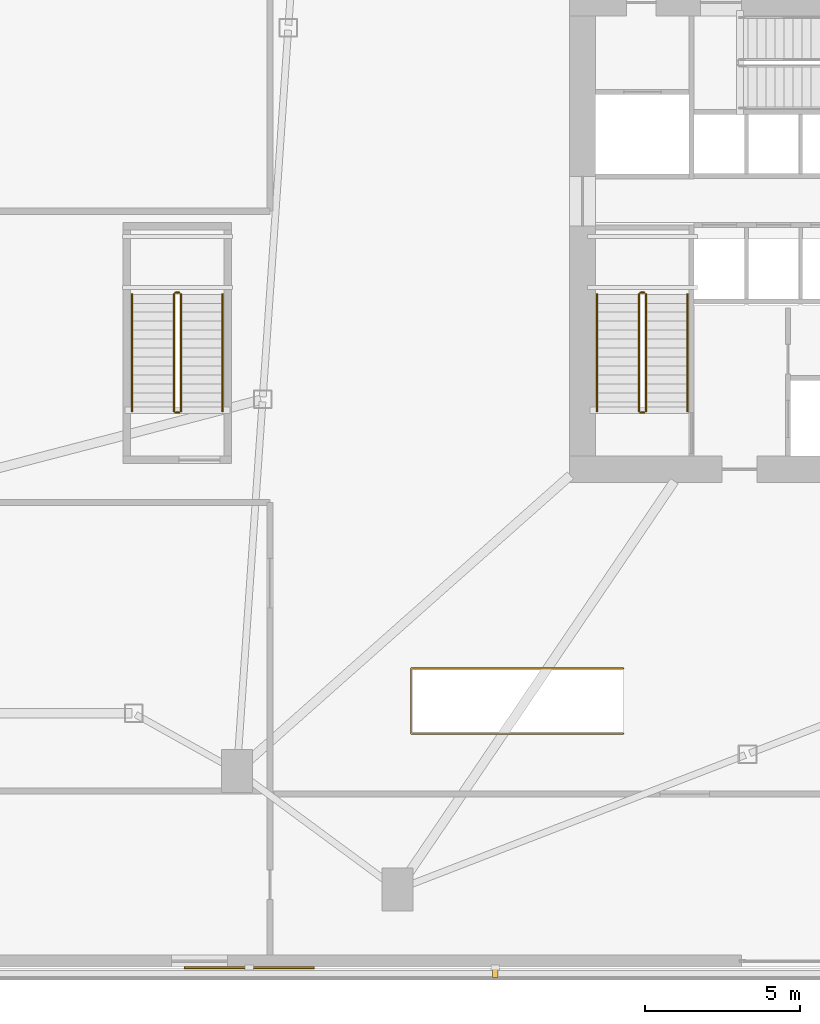
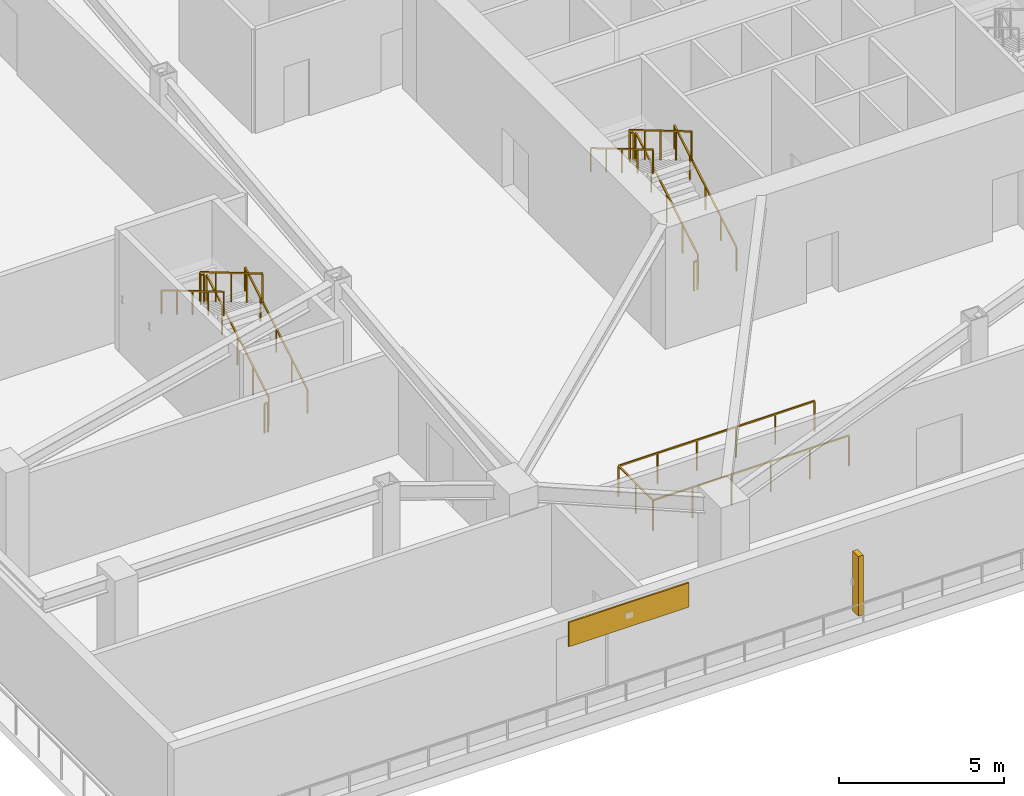
# One storey, part 11 of 14: 13 railings, 1 covering, 1 shading device.
"""IFC4 building model written with IfcOpenShell, lengths in metres."""

from ifc_helpers import new_model, si_unit, direction, frame, origin, origin_2d, place, context, subcontext, project, spatial, rectangle, extrude, source, transform, mapped, material, layer, layer_set, type_object, element, save


model = new_model("IFC4")

# Units and contexts
model_context = context("Model", 3, precision=1e-05, world=origin(), true_north=direction((0.0, 1.0)))
body_context = subcontext(model_context, "Body", "Model", "MODEL_VIEW")
ifc_project = project(units=[si_unit("LENGTHUNIT", "METRE"), si_unit("AREAUNIT", "SQUARE_METRE"), si_unit("VOLUMEUNIT", "CUBIC_METRE"), si_unit("PLANEANGLEUNIT", "RADIAN"), si_unit("MASSUNIT", "GRAM", prefix="KILO")], contexts=[model_context])

# Site, building, storey
site_placement = place(None, origin())
site = spatial("IfcSite", under=ifc_project, at=site_placement, CompositionType="ELEMENT")
building_placement = place(site_placement, origin())
building = spatial("IfcBuilding", under=site, at=building_placement, Name="Olszyna Solenne Hotel", CompositionType="ELEMENT")
storey_placement = place(building_placement, frame((0.0, 0.0, 5.39990234375)))
storey = spatial("IfcBuildingStorey", under=building, at=storey_placement, Name="L01", CompositionType="ELEMENT", Elevation=5.39990234375)

# Railings
ifc_material_1 = material(Name="Anodised bronze aluminium", Category="aluminium")
railing_type_1 = type_object("IfcRailingType", Name="GR-110", PredefinedType="BALUSTRADE", material=ifc_material_1)
railing_1_placement = place(storey_placement, frame((31.719970703125, 20.949951171875, 0.171630859375)))
element("IfcRailing", 1, at=railing_1_placement, inside=storey, type_object=railing_type_1, Name="L01 ST1 stair guard 1", PredefinedType="BALUSTRADE", context=body_context, shape_type="SweptSolid", body=[
    extrude(rectangle(XDim=0.048095703125, YDim=0.048095703125, at=origin_2d()), frame((0.0, 0.0, 1.076171875), z_axis=(0.0, 0.860848830602, 0.508860777473), x_axis=(-1.0, 0.0, 0.0)), (0.0, 0.0, 1.0), 4.37939453125),
    extrude(rectangle(XDim=0.0419921875, YDim=0.0419921875, at=origin_2d()), origin(), (0.0, 0.0, 1.0), 1.052001953125),
    extrude(rectangle(XDim=0.0419921875, YDim=0.0419921875, at=origin_2d()), frame((0.0, 0.9423828125, 0.55712890625)), (0.0, 0.0, 1.0), 1.052001953125),
    extrude(rectangle(XDim=0.0419921875, YDim=0.0419921875, at=origin_2d()), frame((0.0, 1.885009765625, 1.1142578125)), (0.0, 0.0, 1.0), 1.052001953125),
    extrude(rectangle(XDim=0.0419921875, YDim=0.0419921875, at=origin_2d()), frame((0.0, 2.82763671875, 1.67138671875)), (0.0, 0.0, 1.0), 1.052001953125),
    extrude(rectangle(XDim=0.0419921875, YDim=0.0419921875, at=origin_2d()), frame((0.0, 3.77001953125, 2.228515625)), (0.0, 0.0, 1.0), 1.052001953125),
])
railing_2_placement = place(storey_placement, frame((31.669921875, 24.77001953125, 2.400146484375)))
element("IfcRailing", 2, at=railing_2_placement, inside=storey, type_object=railing_type_1, Name="L01 ST1 stair guard 2", PredefinedType="BALUSTRADE", context=body_context, shape_type="SweptSolid", body=[
    extrude(rectangle(XDim=0.048095703125, YDim=0.048095703125, at=origin_2d()), frame((0.0, 0.0, 1.076171875), z_axis=(-1.0, 0.0, 0.0), x_axis=(0.0, -1.0, 0.0)), (0.0, 0.0, 1.0), 0.119873046875),
    extrude(rectangle(XDim=0.0419921875, YDim=0.0419921875, at=origin_2d()), origin(), (0.0, 0.0, 1.0), 1.052001953125),
    extrude(rectangle(XDim=0.0419921875, YDim=0.0419921875, at=origin_2d()), frame((-0.119873046875, 0.0, 0.0)), (0.0, 0.0, 1.0), 1.052001953125),
])
railing_3_placement = place(storey_placement, frame((31.5, 24.719970703125, 2.571533203125)))
element("IfcRailing", 3, at=railing_3_placement, inside=storey, type_object=railing_type_1, Name="L01 ST1 stair guard 3", PredefinedType="BALUSTRADE", context=body_context, shape_type="SweptSolid", body=[
    extrude(rectangle(XDim=0.048095703125, YDim=0.048095703125, at=origin_2d()), frame((0.0, 0.0, 1.076171875), z_axis=(0.0, -0.860848830602, 0.508860777473), x_axis=(1.0, 0.0, 0.0)), (0.0, 0.0, 1.0), 4.37939453125),
    extrude(rectangle(XDim=0.0419921875, YDim=0.0419921875, at=origin_2d()), origin(), (0.0, 0.0, 1.0), 1.052001953125),
    extrude(rectangle(XDim=0.0419921875, YDim=0.0419921875, at=origin_2d()), frame((0.0, -0.9423828125, 0.55712890625)), (0.0, 0.0, 1.0), 1.052001953125),
    extrude(rectangle(XDim=0.0419921875, YDim=0.0419921875, at=origin_2d()), frame((0.0, -1.885009765625, 1.1142578125)), (0.0, 0.0, 1.0), 1.052001953125),
    extrude(rectangle(XDim=0.0419921875, YDim=0.0419921875, at=origin_2d()), frame((0.0, -2.82763671875, 1.67138671875)), (0.0, 0.0, 1.0), 1.052001953125),
    extrude(rectangle(XDim=0.0419921875, YDim=0.0419921875, at=origin_2d()), frame((0.0, -3.77001953125, 2.228515625)), (0.0, 0.0, 1.0), 1.052001953125),
])
railing_4_placement = place(storey_placement, frame((31.669921875, 20.89990234375, 0.0)))
element("IfcRailing", 4, at=railing_4_placement, inside=storey, type_object=railing_type_1, Name="L01 ST1 stair guard 4", PredefinedType="BALUSTRADE", context=body_context, shape_type="SweptSolid", body=[
    extrude(rectangle(XDim=0.048095703125, YDim=0.048095703125, at=origin_2d()), frame((0.0, 0.0, 1.076171875), z_axis=(-1.0, 0.0, 0.0), x_axis=(0.0, -1.0, 0.0)), (0.0, 0.0, 1.0), 0.119873046875),
    extrude(rectangle(XDim=0.0419921875, YDim=0.0419921875, at=origin_2d()), origin(), (0.0, 0.0, 1.0), 1.052001953125),
    extrude(rectangle(XDim=0.0419921875, YDim=0.0419921875, at=origin_2d()), frame((-0.119873046875, 0.0, 0.0)), (0.0, 0.0, 1.0), 1.052001953125),
])
railing_5_placement = place(storey_placement, frame((16.719970703125, 20.949951171875, 0.171630859375)))
element("IfcRailing", 5, at=railing_5_placement, inside=storey, type_object=railing_type_1, Name="L01 ST4 stair guard 1", PredefinedType="BALUSTRADE", context=body_context, shape_type="SweptSolid", body=[
    extrude(rectangle(XDim=0.048095703125, YDim=0.048095703125, at=origin_2d()), frame((0.0, 0.0, 1.076171875), z_axis=(0.0, 0.860848830602, 0.508860777473), x_axis=(-1.0, 0.0, 0.0)), (0.0, 0.0, 1.0), 4.37939453125),
    extrude(rectangle(XDim=0.0419921875, YDim=0.0419921875, at=origin_2d()), origin(), (0.0, 0.0, 1.0), 1.052001953125),
    extrude(rectangle(XDim=0.0419921875, YDim=0.0419921875, at=origin_2d()), frame((0.0, 0.9423828125, 0.55712890625)), (0.0, 0.0, 1.0), 1.052001953125),
    extrude(rectangle(XDim=0.0419921875, YDim=0.0419921875, at=origin_2d()), frame((0.0, 1.885009765625, 1.1142578125)), (0.0, 0.0, 1.0), 1.052001953125),
    extrude(rectangle(XDim=0.0419921875, YDim=0.0419921875, at=origin_2d()), frame((0.0, 2.82763671875, 1.67138671875)), (0.0, 0.0, 1.0), 1.052001953125),
    extrude(rectangle(XDim=0.0419921875, YDim=0.0419921875, at=origin_2d()), frame((0.0, 3.77001953125, 2.228515625)), (0.0, 0.0, 1.0), 1.052001953125),
])
railing_6_placement = place(storey_placement, frame((16.669921875, 24.77001953125, 2.400146484375)))
element("IfcRailing", 6, at=railing_6_placement, inside=storey, type_object=railing_type_1, Name="L01 ST4 stair guard 2", PredefinedType="BALUSTRADE", context=body_context, shape_type="SweptSolid", body=[
    extrude(rectangle(XDim=0.048095703125, YDim=0.048095703125, at=origin_2d()), frame((0.0, 0.0, 1.076171875), z_axis=(-1.0, 0.0, 0.0), x_axis=(0.0, -1.0, 0.0)), (0.0, 0.0, 1.0), 0.119873046875),
    extrude(rectangle(XDim=0.0419921875, YDim=0.0419921875, at=origin_2d()), origin(), (0.0, 0.0, 1.0), 1.052001953125),
    extrude(rectangle(XDim=0.0419921875, YDim=0.0419921875, at=origin_2d()), frame((-0.119873046875, 0.0, 0.0)), (0.0, 0.0, 1.0), 1.052001953125),
])
railing_7_placement = place(storey_placement, frame((16.5, 24.719970703125, 2.571533203125)))
element("IfcRailing", 7, at=railing_7_placement, inside=storey, type_object=railing_type_1, Name="L01 ST4 stair guard 3", PredefinedType="BALUSTRADE", context=body_context, shape_type="SweptSolid", body=[
    extrude(rectangle(XDim=0.048095703125, YDim=0.048095703125, at=origin_2d()), frame((0.0, 0.0, 1.076171875), z_axis=(0.0, -0.860848830602, 0.508860777473), x_axis=(1.0, 0.0, 0.0)), (0.0, 0.0, 1.0), 4.37939453125),
    extrude(rectangle(XDim=0.0419921875, YDim=0.0419921875, at=origin_2d()), origin(), (0.0, 0.0, 1.0), 1.052001953125),
    extrude(rectangle(XDim=0.0419921875, YDim=0.0419921875, at=origin_2d()), frame((0.0, -0.9423828125, 0.55712890625)), (0.0, 0.0, 1.0), 1.052001953125),
    extrude(rectangle(XDim=0.0419921875, YDim=0.0419921875, at=origin_2d()), frame((0.0, -1.885009765625, 1.1142578125)), (0.0, 0.0, 1.0), 1.052001953125),
    extrude(rectangle(XDim=0.0419921875, YDim=0.0419921875, at=origin_2d()), frame((0.0, -2.82763671875, 1.67138671875)), (0.0, 0.0, 1.0), 1.052001953125),
    extrude(rectangle(XDim=0.0419921875, YDim=0.0419921875, at=origin_2d()), frame((0.0, -3.77001953125, 2.228515625)), (0.0, 0.0, 1.0), 1.052001953125),
])
railing_8_placement = place(storey_placement, frame((16.669921875, 20.89990234375, 0.0)))
element("IfcRailing", 8, at=railing_8_placement, inside=storey, type_object=railing_type_1, Name="L01 ST4 stair guard 4", PredefinedType="BALUSTRADE", context=body_context, shape_type="SweptSolid", body=[
    extrude(rectangle(XDim=0.048095703125, YDim=0.048095703125, at=origin_2d()), frame((0.0, 0.0, 1.076171875), z_axis=(-1.0, 0.0, 0.0), x_axis=(0.0, -1.0, 0.0)), (0.0, 0.0, 1.0), 0.119873046875),
    extrude(rectangle(XDim=0.0419921875, YDim=0.0419921875, at=origin_2d()), origin(), (0.0, 0.0, 1.0), 1.052001953125),
    extrude(rectangle(XDim=0.0419921875, YDim=0.0419921875, at=origin_2d()), frame((-0.119873046875, 0.0, 0.0)), (0.0, 0.0, 1.0), 1.052001953125),
])
railing_9_placement = place(storey_placement, frame((31.0, 10.550048828125, 0.0)))
element("IfcRailing", 9, at=railing_9_placement, inside=storey, type_object=railing_type_1, Name="Atrium stair well guard balustrade GR-L01-VD", PredefinedType="BALUSTRADE", context=body_context, shape_type="SweptSolid", body=[
    extrude(rectangle(XDim=0.048095703125, YDim=0.048095703125, at=origin_2d()), frame((0.0, 0.0, 1.1259765625), z_axis=(-1.0, 0.0, 0.0), x_axis=(0.0, -1.0, 0.0)), (0.0, 0.0, 1.0), 6.85009765625),
    extrude(rectangle(XDim=0.048095703125, YDim=0.048095703125, at=origin_2d()), frame((-6.85009765625, 0.0, 1.1259765625), z_axis=(0.0, 1.0, 0.0), x_axis=(-1.0, 0.0, 0.0)), (0.0, 0.0, 1.0), 2.099853515625),
    extrude(rectangle(XDim=0.048095703125, YDim=0.048095703125, at=origin_2d()), frame((-6.85009765625, 2.099853515625, 1.1259765625), z_axis=(1.0, 0.0, 0.0), x_axis=(0.0, 1.0, 0.0)), (0.0, 0.0, 1.0), 6.85009765625),
    extrude(rectangle(XDim=0.0419921875, YDim=0.0419921875, at=origin_2d()), origin(), (0.0, 0.0, 1.0), 1.101806640625),
    extrude(rectangle(XDim=0.0419921875, YDim=0.0419921875, at=origin_2d()), frame((-1.3701171875, 0.0, 0.0)), (0.0, 0.0, 1.0), 1.101806640625),
    extrude(rectangle(XDim=0.0419921875, YDim=0.0419921875, at=origin_2d()), frame((-2.739990234375, 0.0, 0.0)), (0.0, 0.0, 1.0), 1.101806640625),
    extrude(rectangle(XDim=0.0419921875, YDim=0.0419921875, at=origin_2d()), frame((-4.110107421875, 0.0, 0.0)), (0.0, 0.0, 1.0), 1.101806640625),
    extrude(rectangle(XDim=0.0419921875, YDim=0.0419921875, at=origin_2d()), frame((-5.47998046875, 0.0, 0.0)), (0.0, 0.0, 1.0), 1.101806640625),
    extrude(rectangle(XDim=0.0419921875, YDim=0.0419921875, at=origin_2d()), frame((-6.85009765625, 0.0, 0.0)), (0.0, 0.0, 1.0), 1.101806640625),
    extrude(rectangle(XDim=0.0419921875, YDim=0.0419921875, at=origin_2d()), frame((-6.85009765625, 1.0498046875, 0.0)), (0.0, 0.0, 1.0), 1.101806640625),
    extrude(rectangle(XDim=0.0419921875, YDim=0.0419921875, at=origin_2d()), frame((-6.85009765625, 2.099853515625, 0.0)), (0.0, 0.0, 1.0), 1.101806640625),
    extrude(rectangle(XDim=0.0419921875, YDim=0.0419921875, at=origin_2d()), frame((-5.47998046875, 2.099853515625, 0.0)), (0.0, 0.0, 1.0), 1.101806640625),
    extrude(rectangle(XDim=0.0419921875, YDim=0.0419921875, at=origin_2d()), frame((-4.110107421875, 2.099853515625, 0.0)), (0.0, 0.0, 1.0), 1.101806640625),
    extrude(rectangle(XDim=0.0419921875, YDim=0.0419921875, at=origin_2d()), frame((-2.739990234375, 2.099853515625, 0.0)), (0.0, 0.0, 1.0), 1.101806640625),
    extrude(rectangle(XDim=0.0419921875, YDim=0.0419921875, at=origin_2d()), frame((-1.3701171875, 2.099853515625, 0.0)), (0.0, 0.0, 1.0), 1.101806640625),
    extrude(rectangle(XDim=0.0419921875, YDim=0.0419921875, at=origin_2d()), frame((0.0, 2.099853515625, 0.0)), (0.0, 0.0, 1.0), 1.101806640625),
])
ifc_material_2 = material(Name="Steel S355J2", Category="steel")
railing_type_2 = type_object("IfcRailingType", Name="HR-090", PredefinedType="HANDRAIL", material=ifc_material_2)
railing_10_placement = place(storey_placement, frame((33.070068359375, 20.949951171875, 0.171630859375)))
element("IfcRailing", 10, at=railing_10_placement, inside=storey, type_object=railing_type_2, Name="L01 ST1 stair handrail 1", PredefinedType="HANDRAIL", context=body_context, shape_type="SweptSolid", body=[
    extrude(rectangle(XDim=0.048095703125, YDim=0.048095703125, at=origin_2d()), frame((0.0, 0.0, 0.8759765625), z_axis=(0.0, 0.860848830602, 0.508860777473), x_axis=(-1.0, 0.0, 0.0)), (0.0, 0.0, 1.0), 4.37939453125),
    extrude(rectangle(XDim=0.0419921875, YDim=0.0419921875, at=origin_2d()), origin(), (0.0, 0.0, 1.0), 0.851806640625),
    extrude(rectangle(XDim=0.0419921875, YDim=0.0419921875, at=origin_2d()), frame((0.0, 0.9423828125, 0.55712890625)), (0.0, 0.0, 1.0), 0.851806640625),
    extrude(rectangle(XDim=0.0419921875, YDim=0.0419921875, at=origin_2d()), frame((0.0, 1.885009765625, 1.1142578125)), (0.0, 0.0, 1.0), 0.851806640625),
    extrude(rectangle(XDim=0.0419921875, YDim=0.0419921875, at=origin_2d()), frame((0.0, 2.82763671875, 1.67138671875)), (0.0, 0.0, 1.0), 0.851806640625),
    extrude(rectangle(XDim=0.0419921875, YDim=0.0419921875, at=origin_2d()), frame((0.0, 3.77001953125, 2.228515625)), (0.0, 0.0, 1.0), 0.851806640625),
])
railing_11_placement = place(storey_placement, frame((30.14990234375, 24.719970703125, 2.571533203125)))
element("IfcRailing", 11, at=railing_11_placement, inside=storey, type_object=railing_type_2, Name="L01 ST1 stair handrail 2", PredefinedType="HANDRAIL", context=body_context, shape_type="SweptSolid", body=[
    extrude(rectangle(XDim=0.048095703125, YDim=0.048095703125, at=origin_2d()), frame((0.0, 0.0, 0.8759765625), z_axis=(0.0, -0.860848830602, 0.508860777473), x_axis=(1.0, 0.0, 0.0)), (0.0, 0.0, 1.0), 4.37939453125),
    extrude(rectangle(XDim=0.0419921875, YDim=0.0419921875, at=origin_2d()), origin(), (0.0, 0.0, 1.0), 0.851806640625),
    extrude(rectangle(XDim=0.0419921875, YDim=0.0419921875, at=origin_2d()), frame((0.0, -0.9423828125, 0.55712890625)), (0.0, 0.0, 1.0), 0.851806640625),
    extrude(rectangle(XDim=0.0419921875, YDim=0.0419921875, at=origin_2d()), frame((0.0, -1.885009765625, 1.1142578125)), (0.0, 0.0, 1.0), 0.851806640625),
    extrude(rectangle(XDim=0.0419921875, YDim=0.0419921875, at=origin_2d()), frame((0.0, -2.82763671875, 1.67138671875)), (0.0, 0.0, 1.0), 0.851806640625),
    extrude(rectangle(XDim=0.0419921875, YDim=0.0419921875, at=origin_2d()), frame((0.0, -3.77001953125, 2.228515625)), (0.0, 0.0, 1.0), 0.851806640625),
])
railing_12_placement = place(storey_placement, frame((18.070068359375, 20.949951171875, 0.171630859375)))
element("IfcRailing", 12, at=railing_12_placement, inside=storey, type_object=railing_type_2, Name="L01 ST4 stair handrail 1", PredefinedType="HANDRAIL", context=body_context, shape_type="SweptSolid", body=[
    extrude(rectangle(XDim=0.048095703125, YDim=0.048095703125, at=origin_2d()), frame((0.0, 0.0, 0.8759765625), z_axis=(0.0, 0.860848830602, 0.508860777473), x_axis=(-1.0, 0.0, 0.0)), (0.0, 0.0, 1.0), 4.37939453125),
    extrude(rectangle(XDim=0.0419921875, YDim=0.0419921875, at=origin_2d()), origin(), (0.0, 0.0, 1.0), 0.851806640625),
    extrude(rectangle(XDim=0.0419921875, YDim=0.0419921875, at=origin_2d()), frame((0.0, 0.9423828125, 0.55712890625)), (0.0, 0.0, 1.0), 0.851806640625),
    extrude(rectangle(XDim=0.0419921875, YDim=0.0419921875, at=origin_2d()), frame((0.0, 1.885009765625, 1.1142578125)), (0.0, 0.0, 1.0), 0.851806640625),
    extrude(rectangle(XDim=0.0419921875, YDim=0.0419921875, at=origin_2d()), frame((0.0, 2.82763671875, 1.67138671875)), (0.0, 0.0, 1.0), 0.851806640625),
    extrude(rectangle(XDim=0.0419921875, YDim=0.0419921875, at=origin_2d()), frame((0.0, 3.77001953125, 2.228515625)), (0.0, 0.0, 1.0), 0.851806640625),
])
railing_13_placement = place(storey_placement, frame((15.14990234375, 24.719970703125, 2.571533203125)))
element("IfcRailing", 13, at=railing_13_placement, inside=storey, type_object=railing_type_2, Name="L01 ST4 stair handrail 2", PredefinedType="HANDRAIL", context=body_context, shape_type="SweptSolid", body=[
    extrude(rectangle(XDim=0.048095703125, YDim=0.048095703125, at=origin_2d()), frame((0.0, 0.0, 0.8759765625), z_axis=(0.0, -0.860848830602, 0.508860777473), x_axis=(1.0, 0.0, 0.0)), (0.0, 0.0, 1.0), 4.37939453125),
    extrude(rectangle(XDim=0.0419921875, YDim=0.0419921875, at=origin_2d()), origin(), (0.0, 0.0, 1.0), 0.851806640625),
    extrude(rectangle(XDim=0.0419921875, YDim=0.0419921875, at=origin_2d()), frame((0.0, -0.9423828125, 0.55712890625)), (0.0, 0.0, 1.0), 0.851806640625),
    extrude(rectangle(XDim=0.0419921875, YDim=0.0419921875, at=origin_2d()), frame((0.0, -1.885009765625, 1.1142578125)), (0.0, 0.0, 1.0), 0.851806640625),
    extrude(rectangle(XDim=0.0419921875, YDim=0.0419921875, at=origin_2d()), frame((0.0, -2.82763671875, 1.67138671875)), (0.0, 0.0, 1.0), 0.851806640625),
    extrude(rectangle(XDim=0.0419921875, YDim=0.0419921875, at=origin_2d()), frame((0.0, -3.77001953125, 2.228515625)), (0.0, 0.0, 1.0), 0.851806640625),
])

# Covering
ifc_material_3 = material(Name="Terracotta cladding", Category="masonry")
ifc_layer = layer(ifc_material_3, 0.054931640625, Name="Terracotta cladding")
ifc_layer_set = layer_set([ifc_layer], Name="Terracotta cladding")
covering_type = type_object("IfcCoveringType", Name="CD-TC1", PredefinedType="CLADDING", material=ifc_layer_set)
shared_shape_1 = source(origin(), body_context, "Body", "SweptSolid", [
    extrude(rectangle(XDim=4.199951171875, YDim=0.054931640625, at=origin_2d()), origin(), (0.0, 0.0, 1.0), 0.89990234375),
])
covering_placement = place(storey_placement, frame((18.925048828125, 2.99755859375, 2.8720703125), z_axis=(0.0, 0.0, 1.0), x_axis=(-1.0, 0.0, 0.0)))
element("IfcCovering", 14, at=covering_placement, inside=storey, type_object=covering_type, Name="Fluted terracotta rainscreen band CD-L01-SW", PredefinedType="CLADDING", context=body_context, shape_type="MappedRepresentation", body=[
    mapped(shared_shape_1, transform((0.0, 0.0, 0.0), x_axis=(1.0, 0.0, 0.0), y_axis=(0.0, 1.0, 0.0), z_axis=(0.0, 0.0, 1.0), scale=1.0)),
])

# Shading device
shading_device_type = type_object("IfcShadingDeviceType", Name="SH-FN1", PredefinedType="USERDEFINED", material=ifc_material_3)
shared_shape_2 = source(origin(), body_context, "Body", "SweptSolid", [
    extrude(rectangle(XDim=0.179931640625, YDim=0.35009765625, at=origin_2d()), origin(), (0.0, 0.0, 1.0), 2.199951171875),
])
shading_device_placement = place(storey_placement, frame((26.862548828125, 2.85009765625, 0.7001953125), z_axis=(0.0, 0.0, 1.0), x_axis=(-1.0, 0.0, 0.0)))
element("IfcShadingDevice", 15, at=shading_device_placement, inside=storey, type_object=shading_device_type, Name="Vertical terracotta facade fin FN-L01-SW", ObjectType="FIN", PredefinedType="USERDEFINED", context=body_context, shape_type="MappedRepresentation", body=[
    mapped(shared_shape_2, transform((0.0, 0.0, 0.0), x_axis=(1.0, 0.0, 0.0), y_axis=(0.0, 1.0, 0.0), z_axis=(0.0, 0.0, 1.0), scale=1.0)),
])

save(model, "model.ifc")
